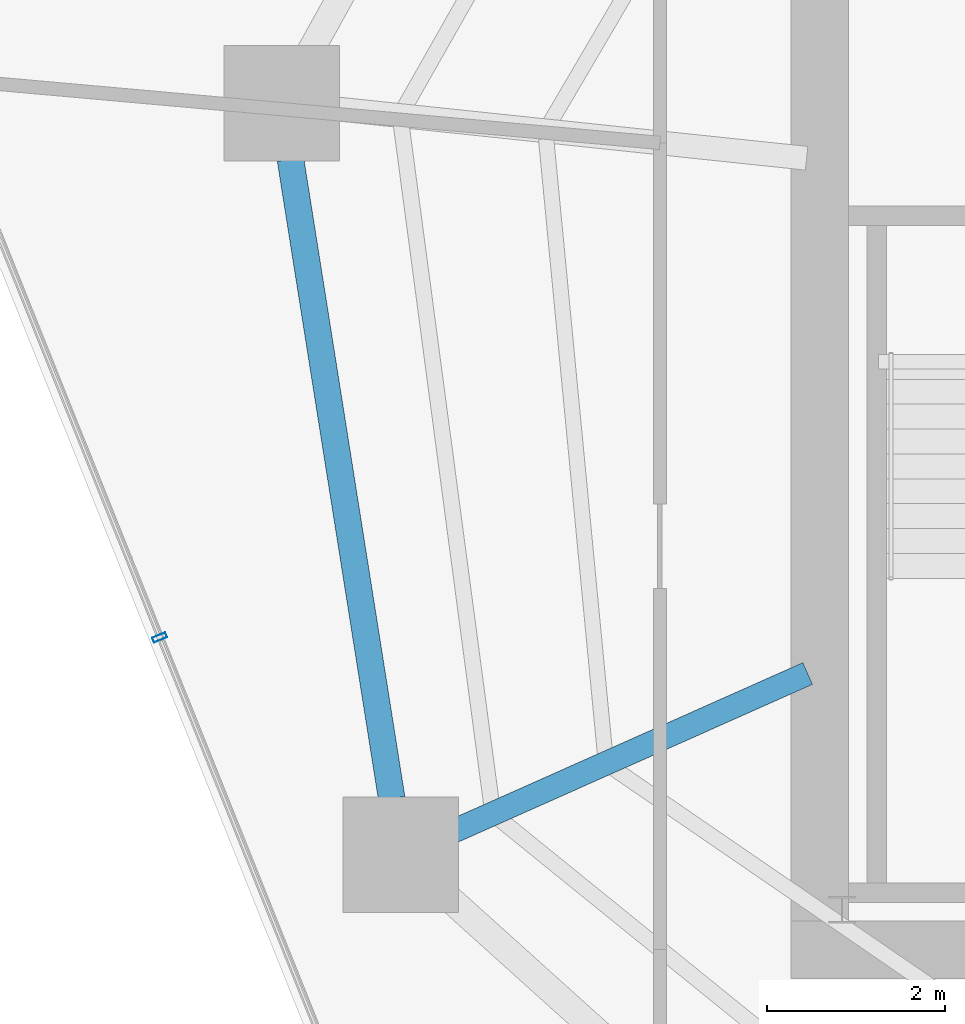
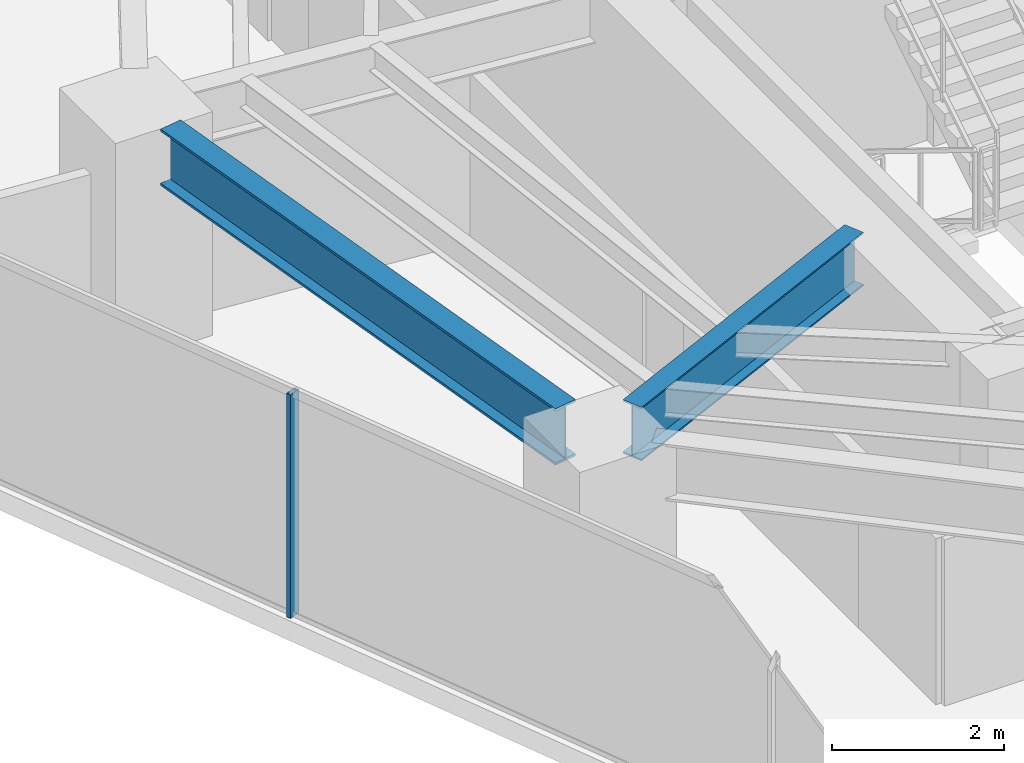
# One storey, part 7 of 32: 2 beams, 1 member, 1 element without a shape of its own.
"""IFC4 building model written with IfcOpenShell, lengths in metres."""

from ifc_helpers import new_model, si_unit, direction, frame, origin, origin_2d, place, context, subcontext, project, spatial, hollow_rectangle, i_section, extrude, material, layer, layer_set, material_profile, profile_set, type_object, element, aggregate, save


model = new_model("IFC4")

# Units and contexts
model_context = context("Model", 3, precision=1e-05, world=origin(), true_north=direction((0.0, 1.0)))
body_context = subcontext(model_context, "Body", "Model", "MODEL_VIEW")
ifc_project = project(units=[si_unit("LENGTHUNIT", "METRE"), si_unit("AREAUNIT", "SQUARE_METRE"), si_unit("VOLUMEUNIT", "CUBIC_METRE"), si_unit("PLANEANGLEUNIT", "RADIAN"), si_unit("MASSUNIT", "GRAM", prefix="KILO")], contexts=[model_context])

# Site, building, storey
site_placement = place(None, origin())
site = spatial("IfcSite", under=ifc_project, at=site_placement, CompositionType="ELEMENT")
building_placement = place(site_placement, origin())
building = spatial("IfcBuilding", under=site, at=building_placement, Name="Qarnah Convention Tower", CompositionType="ELEMENT")
storey_placement = place(building_placement, frame((0.0, 0.0, 37.35009765625)))
storey = spatial("IfcBuildingStorey", under=building, at=storey_placement, Name="L08", CompositionType="ELEMENT", Elevation=37.35009765625)

# Beams
ifc_material_1 = material(Name="Structural steel S355JR", Category="steel")
ifc_material_profile_1 = material_profile(ifc_material_1, i_section(OverallWidth=0.26806640625, OverallDepth=0.760009765625, WebThickness=0.014892578125, FlangeThickness=0.02197265625, at=origin_2d()), Name="W760X185")
ifc_profile_set_1 = profile_set([ifc_material_profile_1], Name="Structural steel S355JR")
beam_type_1 = type_object("IfcBeamType", Name="BM-RAD-W760", PredefinedType="BEAM", material=ifc_profile_set_1)
beam_1_placement = place(storey_placement, frame((26.6630859375, 21.708984375, 2.789794921875), z_axis=(-0.913519753242, -0.406794371195, 0.0), x_axis=(0.406794371195, -0.913519753242, 0.0)))
element("IfcBeam", 1, at=beam_1_placement, inside=storey, type_object=beam_type_1, Name="L08 beam BM-L08-RAD-06", PredefinedType="BEAM", context=body_context, shape_type="SweptSolid", body=[
    extrude(i_section(OverallWidth=0.26806640625, OverallDepth=0.760009765625, WebThickness=0.014892578125, FlangeThickness=0.02197265625, at=origin_2d()), origin(), (0.0, 0.0, 1.0), 4.38525390625),
])
ifc_material_profile_2 = material_profile(ifc_material_1, i_section(OverallWidth=0.300048828125, OverallDepth=0.800048828125, WebThickness=0.01806640625, FlangeThickness=0.032958984375, at=origin_2d()), Name="HEB800")
ifc_profile_set_2 = profile_set([ifc_material_profile_2], Name="Structural steel S355JR")
beam_type_2 = type_object("IfcBeamType", Name="BM-RING-HEB800", PredefinedType="BEAM", material=ifc_profile_set_2)
beam_2_placement = place(storey_placement, frame((20.841064453125, 27.498046875, 2.77001953125), z_axis=(0.156433977502, -0.987688417814, 0.0), x_axis=(0.987688417814, 0.156433977502, 0.0)))
element("IfcBeam", 2, at=beam_2_placement, inside=storey, type_object=beam_type_2, Name="L08 beam BM-L08-SPN-05", PredefinedType="BEAM", context=body_context, shape_type="SweptSolid", body=[
    extrude(i_section(OverallWidth=0.300048828125, OverallDepth=0.800048828125, WebThickness=0.01806640625, FlangeThickness=0.032958984375, at=origin_2d()), origin(), (0.0, 0.0, 1.0), 7.28662109375),
])

# Curtain wall, member
ifc_material_2 = material(Name="Tempered Low-E dark glass", Category="glass")
ifc_layer = layer(ifc_material_2, 0.16796875)
ifc_layer_set = layer_set([ifc_layer], Name="Tempered Low-E dark glass")
curtain_wall_type = type_object("IfcCurtainWallType", Name="CWS-01", PredefinedType="NOTDEFINED", material=ifc_layer_set)
curtain_wall_placement = place(storey_placement, origin())
curtain_wall = element("IfcCurtainWall", 3, at=curtain_wall_placement, inside=storey, type_object=curtain_wall_type, Name="L08 unitised curtain wall CW-L08-F1", PredefinedType="NOTDEFINED")
ifc_material_3 = material(Name="Black anodised aluminium", Category="aluminium")
ifc_material_profile_3 = material_profile(ifc_material_3, hollow_rectangle(XDim=0.06005859375, YDim=0.159912109375, WallThickness=0.00390625, at=origin_2d()), Name="MUL-60X160")
ifc_profile_set_3 = profile_set([ifc_material_profile_3], Name="Black anodised aluminium")
member_type = type_object("IfcMemberType", Name="MUL-T1", PredefinedType="MULLION", material=ifc_profile_set_3)
member_placement = place(storey_placement, frame((19.368896484375, 22.11474609375, 0.0), z_axis=(0.0, 0.0, 1.0), x_axis=(-0.372016711815, 0.92822603181, 0.0)))
member = element("IfcMember", 4, at=member_placement, type_object=member_type, Name="CW-L08-F1 mullion 4", PredefinedType="MULLION", context=body_context, shape_type="SweptSolid", body=[
    extrude(hollow_rectangle(XDim=0.06005859375, YDim=0.159912109375, WallThickness=0.00390625, at=origin_2d()), origin(), (0.0, 0.0, 1.0), 3.169921875),
])
aggregate(curtain_wall, [member])

save(model, "model.ifc")
